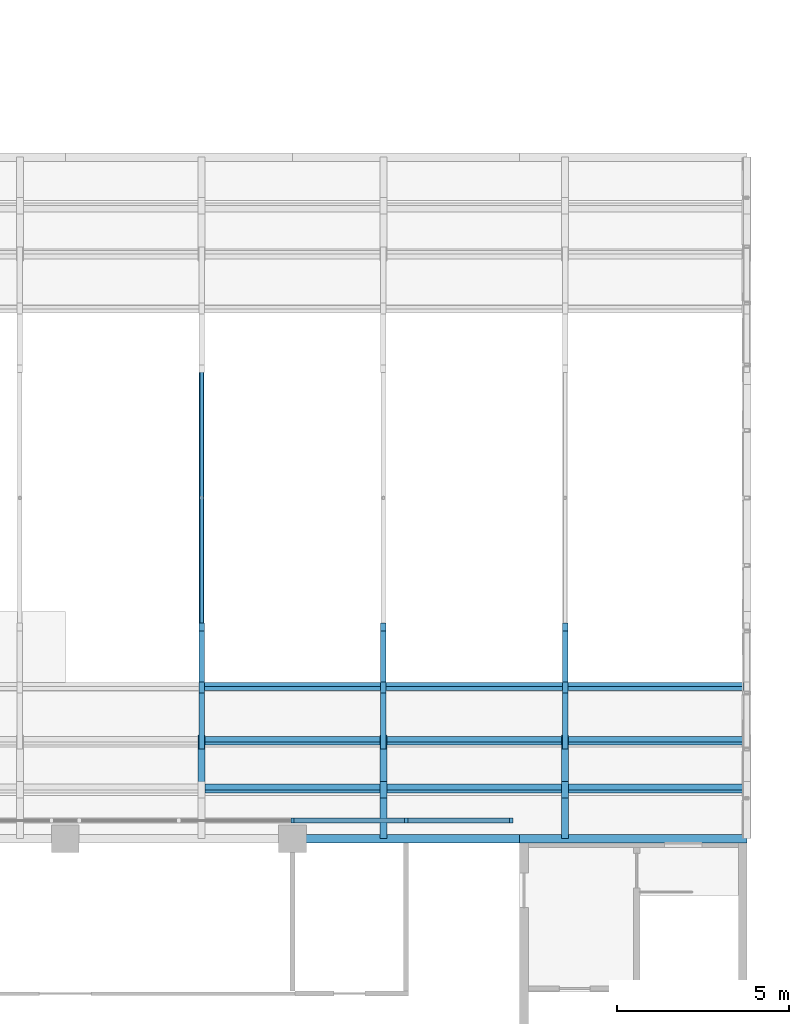
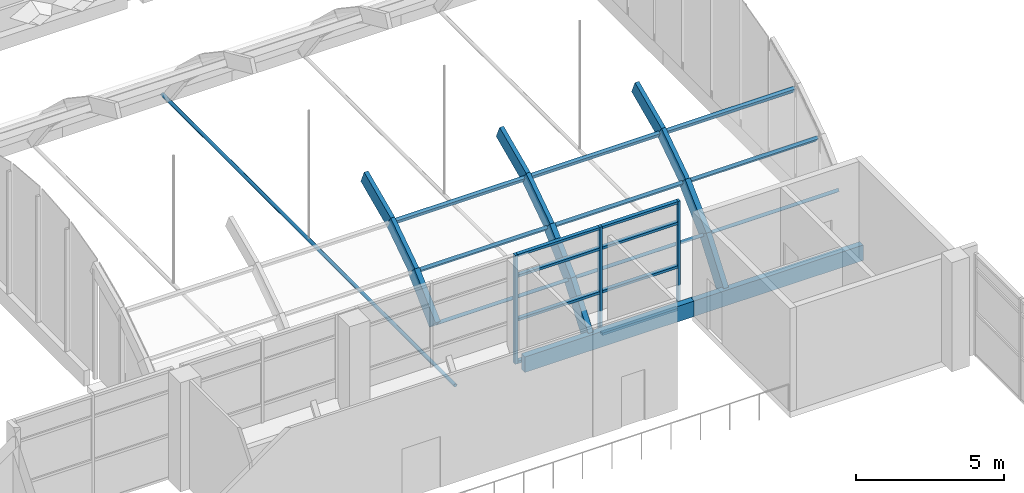
# One storey, part 23 of 102: 32 members, 2 beams, 1 element without a shape of its own.
"""IFC4 building model written with IfcOpenShell, lengths in metres."""

from ifc_helpers import new_model, si_unit, direction, frame, origin, origin_2d, place, context, subcontext, project, spatial, rectangle, hollow_circle, extrude, material, material_profile, profile_set, type_object, element, aggregate, save


model = new_model("IFC4")

# Units and contexts
model_context = context("Model", 3, precision=1e-05, world=origin(), true_north=direction((0.0, 1.0)))
body_context = subcontext(model_context, "Body", "Model", "MODEL_VIEW")
ifc_project = project(units=[si_unit("LENGTHUNIT", "METRE"), si_unit("AREAUNIT", "SQUARE_METRE"), si_unit("VOLUMEUNIT", "CUBIC_METRE"), si_unit("PLANEANGLEUNIT", "RADIAN"), si_unit("MASSUNIT", "GRAM", prefix="KILO")], contexts=[model_context])

# Site, building, storey
site_placement = place(None, origin())
site = spatial("IfcSite", under=ifc_project, at=site_placement, CompositionType="ELEMENT")
building_placement = place(site_placement, origin())
building = spatial("IfcBuilding", under=site, at=building_placement, Name="Lantern Court Research Institute", CompositionType="ELEMENT")
storey_placement = place(building_placement, frame((0.0, 0.0, 9.89990234375)))
storey = spatial("IfcBuildingStorey", under=building, at=storey_placement, Name="L02", CompositionType="ELEMENT", Elevation=9.89990234375)

# Members
ifc_material_1 = material(Name="Glued laminated timber GL28h", Category="wood")
ifc_material_profile_1 = material_profile(ifc_material_1, rectangle(XDim=0.159912109375, YDim=0.56005859375, at=origin_2d()), Name="Glulam haunch rib 160 x 560")
ifc_profile_set_1 = profile_set([ifc_material_profile_1], Name="Glued laminated timber GL28h")
member_type_1 = type_object("IfcMemberType", Name="Glulam haunch rib 160 x 560", PredefinedType="RAFTER", material=ifc_profile_set_1)
for number, where, z_axis, x_axis, name in (
    (1, (63.360107421875, 58.859619140625, 3.342529296875), (0.0, 0.830041526637, 0.557701590511), (-1.0, 0.0, 0.0), "Glulam rib"),
    (2, (63.360107421875, 60.4521484375, 4.41748046875), (0.0, 0.91202821745, 0.410127456501), (-1.0, 0.0, 0.0), "Glulam rib"),
    (3, (68.639892578125, 58.859619140625, 3.342529296875), (0.0, 0.830041526637, 0.557701590511), (-1.0, 0.0, 0.0), "Glulam rib"),
    (4, (68.639892578125, 60.4521484375, 4.41748046875), (0.0, 0.91202821745, 0.410127456501), (-1.0, 0.0, 0.0), "Glulam rib"),
    (5, (73.919921875, 58.859619140625, 3.342529296875), (0.0, 0.830041526637, 0.557701590511), (-1.0, 0.0, 0.0), "Glulam rib"),
    (6, (73.919921875, 60.4521484375, 4.41748046875), (0.0, 0.91202821745, 0.410127456501), (-1.0, 0.0, 0.0), "Glulam rib"),
):
    element("IfcMember", number, at=place(storey_placement, frame(where, z_axis=z_axis, x_axis=x_axis)), inside=storey, type_object=member_type_1, Name=name, PredefinedType="RAFTER", context=body_context, shape_type="SweptSolid", body=[
        extrude(rectangle(XDim=0.159912109375, YDim=0.56005859375, at=origin_2d()), origin(), (0.0, 0.0, 1.0), 1.968505859375),
    ])
ifc_material_2 = material(Name="Glued laminated timber GL28h", Category="wood")
ifc_material_profile_2 = material_profile(ifc_material_2, rectangle(XDim=0.1201171875, YDim=0.239990234375, at=origin_2d()), Name="Glulam purlin 120 x 240")
ifc_profile_set_2 = profile_set([ifc_material_profile_2], Name="Glued laminated timber GL28h")
member_type_2 = type_object("IfcMemberType", Name="Glulam purlin 120 x 240", PredefinedType="PURLIN", material=ifc_profile_set_2)
for number, where, z_axis, x_axis, name in (
    (7, (63.4599609375, 57.561767578125, 1.965576171875), (1.0, 0.0, 0.0), (0.0, 0.663608478299, 0.748080067593), "Glulam purlin"),
    (8, (68.739990234375, 57.561767578125, 1.965576171875), (1.0, 0.0, 0.0), (0.0, 0.663608478299, 0.748080067593), "Glulam purlin"),
    (9, (74.02001953125, 57.561767578125, 1.965576171875), (1.0, 0.0, 0.0), (0.0, 0.663608478299, 0.748080067593), "Glulam purlin"),
    (10, (63.4599609375, 58.941162109375, 3.278564453125), (1.0, 0.0, 0.0), (0.0, 0.779999482278, 0.625780159199), "Glulam purlin"),
    (11, (68.739990234375, 58.941162109375, 3.278564453125), (1.0, 0.0, 0.0), (0.0, 0.779999482278, 0.625780159199), "Glulam purlin"),
    (12, (74.02001953125, 58.941162109375, 3.278564453125), (1.0, 0.0, 0.0), (0.0, 0.779999482278, 0.625780159199), "Glulam purlin"),
):
    element("IfcMember", number, at=place(storey_placement, frame(where, z_axis=z_axis, x_axis=x_axis)), inside=storey, type_object=member_type_2, Name=name, PredefinedType="PURLIN", context=body_context, shape_type="SweptSolid", body=[
        extrude(rectangle(XDim=0.1201171875, YDim=0.239990234375, at=origin_2d()), origin(), (0.0, 0.0, 1.0), 5.080078125),
    ])
for number, where, z_axis, x_axis, name in (
    (13, (63.43994140625, 60.52197265625, 4.340576171875), (1.0, 0.0, 0.0), (0.0, 0.874157276961, 0.485642929667), "Glulam purlin"),
    (14, (68.719970703125, 60.52197265625, 4.340576171875), (1.0, 0.0, 0.0), (0.0, 0.874157276961, 0.485642929667), "Glulam purlin"),
    (15, (74.0, 60.52197265625, 4.340576171875), (1.0, 0.0, 0.0), (0.0, 0.874157276961, 0.485642929667), "Glulam purlin"),
):
    element("IfcMember", number, at=place(storey_placement, frame(where, z_axis=z_axis, x_axis=x_axis)), inside=storey, type_object=member_type_2, Name=name, PredefinedType="PURLIN", context=body_context, shape_type="SweptSolid", body=[
        extrude(rectangle(XDim=0.1201171875, YDim=0.239990234375, at=origin_2d()), origin(), (0.0, 0.0, 1.0), 5.1201171875),
    ])

# Beams
ifc_material_3 = material(Name="Glued laminated timber GL28h", Category="wood")
ifc_material_profile_3 = material_profile(ifc_material_3, rectangle(XDim=0.239990234375, YDim=0.639892578125, at=origin_2d()), Name="Glulam ring beam 240 x 640")
ifc_profile_set_3 = profile_set([ifc_material_profile_3], Name="Glued laminated timber GL28h")
beam_type = type_object("IfcBeamType", Name="Glulam ring beam 240 x 640", PredefinedType="BEAM", material=ifc_profile_set_3)
beam_1_placement = place(storey_placement, frame((66.0, 56.10009765625, 0.320068359375), z_axis=(1.0, 0.0, 0.0), x_axis=(0.0, 1.0, 0.0)))
element("IfcBeam", 16, at=beam_1_placement, inside=storey, type_object=beam_type, Name="Glulam ring beam S", PredefinedType="BEAM", context=body_context, shape_type="SweptSolid", body=[
    extrude(rectangle(XDim=0.239990234375, YDim=0.639892578125, at=origin_2d()), origin(), (0.0, 0.0, 1.0), 6.60009765625),
])
beam_2_placement = place(storey_placement, frame((72.60009765625, 56.10009765625, 0.320068359375), z_axis=(1.0, 0.0, 0.0), x_axis=(0.0, 1.0, 0.0)))
element("IfcBeam", 17, at=beam_2_placement, inside=storey, type_object=beam_type, Name="Glulam ring beam S", PredefinedType="BEAM", context=body_context, shape_type="SweptSolid", body=[
    extrude(rectangle(XDim=0.239990234375, YDim=0.639892578125, at=origin_2d()), origin(), (0.0, 0.0, 1.0), 6.599853515625),
])

# Members
ifc_material_4 = material(Name="Glued laminated timber GL28h", Category="wood")
ifc_material_profile_4 = material_profile(ifc_material_4, rectangle(XDim=0.199951171875, YDim=0.60009765625, at=origin_2d()), Name="Glulam springing rib 200 x 600")
ifc_profile_set_4 = profile_set([ifc_material_profile_4], Name="Glued laminated timber GL28h")
member_type_3 = type_object("IfcMemberType", Name="Glulam springing rib 200 x 600", PredefinedType="RAFTER", material=ifc_profile_set_4)
for number, where, z_axis, x_axis, name in (
    (18, (63.360107421875, 57.484130859375, 2.00048828125), (0.0, 0.72437677669, 0.689404297486), (-1.0, 0.0, 0.0), "Glulam rib"),
    (19, (68.639892578125, 56.34033203125, 0.460693359375), (0.0, 0.598133156131, 0.801396735417), (-1.0, 0.0, 0.0), "Glulam rib"),
    (20, (68.639892578125, 57.484130859375, 2.00048828125), (0.0, 0.72437677669, 0.689404297486), (-1.0, 0.0, 0.0), "Glulam rib"),
    (21, (73.919921875, 56.34033203125, 0.460693359375), (0.0, 0.598133156131, 0.801396735417), (-1.0, 0.0, 0.0), "Glulam rib"),
    (22, (73.919921875, 57.484130859375, 2.00048828125), (0.0, 0.72437677669, 0.689404297486), (-1.0, 0.0, 0.0), "Glulam rib"),
):
    element("IfcMember", number, at=place(storey_placement, frame(where, z_axis=z_axis, x_axis=x_axis)), inside=storey, type_object=member_type_3, Name=name, PredefinedType="RAFTER", context=body_context, shape_type="SweptSolid", body=[
        extrude(rectangle(XDim=0.199951171875, YDim=0.60009765625, at=origin_2d()), origin(), (0.0, 0.0, 1.0), 1.968505859375),
    ])
ifc_material_5 = material(Name="Structural steel S355", Category="steel")
ifc_material_profile_5 = material_profile(ifc_material_5, hollow_circle(Radius=0.06982421875, WallThickness=0.008056640625, at=origin_2d()), Name="Gridshell tie CHS 139.7 x 8")
ifc_profile_set_5 = profile_set([ifc_material_profile_5], Name="Structural steel S355")
member_type_4 = type_object("IfcMemberType", Name="Gridshell tie CHS 139.7 x 8", PredefinedType="MEMBER", material=ifc_profile_set_5)
member_1_placement = place(storey_placement, frame((63.360107421875, 56.10009765625, 0.320068359375), z_axis=(0.0, 1.0, 0.0), x_axis=(-1.0, 0.0, 0.0)))
element("IfcMember", 23, at=member_1_placement, inside=storey, type_object=member_type_4, Name="Theatre tie", PredefinedType="MEMBER", context=body_context, shape_type="SweptSolid", body=[
    extrude(hollow_circle(Radius=0.06982421875, WallThickness=0.008056640625, at=origin_2d()), origin(), (0.0, 0.0, 1.0), 19.7998046875),
])

# Curtain wall, members
ifc_material_6 = material(Name="Aluminium alloy 6063-T6", Category="aluminium")
curtain_wall_type = type_object("IfcCurtainWallType", Name="Curtain wall 19450 x 4500 x 150 aluminium frame", PredefinedType="NOTDEFINED", material=ifc_material_6)
curtain_wall_placement = place(storey_placement, origin())
curtain_wall = element("IfcCurtainWall", 24, at=curtain_wall_placement, inside=storey, type_object=curtain_wall_type, Name="Curtain wall CW036", PredefinedType="NOTDEFINED")
ifc_material_7 = material(Name="Aluminium alloy 6063-T6", Category="aluminium")
ifc_material_profile_6 = material_profile(ifc_material_7, rectangle(XDim=0.14990234375, YDim=0.10009765625, at=origin_2d()), Name="Mullion 150 x 100")
ifc_profile_set_6 = profile_set([ifc_material_profile_6], Name="Aluminium alloy 6063-T6")
member_type_5 = type_object("IfcMemberType", Name="Mullion 150 x 100 aluminium", PredefinedType="MULLION", material=ifc_profile_set_6)
member_2_placement = place(storey_placement, frame((66.0, 56.625, 0.0), z_axis=(0.0, 0.0, 1.0), x_axis=(0.0, 1.0, 0.0)))
member_2 = element("IfcMember", 25, at=member_2_placement, type_object=member_type_5, Name="CW036 mullion 6", PredefinedType="MULLION", context=body_context, shape_type="SweptSolid", body=[
    extrude(rectangle(XDim=0.14990234375, YDim=0.10009765625, at=origin_2d()), origin(), (0.0, 0.0, 1.0), 4.5),
])
member_3_placement = place(storey_placement, frame((69.300048828125, 56.625, 0.0), z_axis=(0.0, 0.0, 1.0), x_axis=(0.0, 1.0, 0.0)))
member_3 = element("IfcMember", 26, at=member_3_placement, type_object=member_type_5, Name="CW036 mullion 7", PredefinedType="MULLION", context=body_context, shape_type="SweptSolid", body=[
    extrude(rectangle(XDim=0.14990234375, YDim=0.10009765625, at=origin_2d()), origin(), (0.0, 0.0, 1.0), 4.5),
])
member_4_placement = place(storey_placement, frame((72.35009765625, 56.625, 0.0), z_axis=(0.0, 0.0, 1.0), x_axis=(0.0, 1.0, 0.0)))
member_4 = element("IfcMember", 27, at=member_4_placement, type_object=member_type_5, Name="CW036 mullion 8", PredefinedType="MULLION", context=body_context, shape_type="SweptSolid", body=[
    extrude(rectangle(XDim=0.14990234375, YDim=0.10009765625, at=origin_2d()), origin(), (0.0, 0.0, 1.0), 4.5),
])
ifc_material_8 = material(Name="Aluminium alloy 6063-T6", Category="aluminium")
ifc_material_profile_7 = material_profile(ifc_material_8, rectangle(XDim=0.14990234375, YDim=0.10009765625, at=origin_2d()), Name="Transom 150 x 100")
ifc_profile_set_7 = profile_set([ifc_material_profile_7], Name="Aluminium alloy 6063-T6")
member_type_6 = type_object("IfcMemberType", Name="Transom 150 x 100 aluminium", PredefinedType="USERDEFINED", material=ifc_profile_set_7)
member_5_placement = place(storey_placement, frame((66.050048828125, 56.625, 0.050048828125), z_axis=(1.0, 0.0, 0.0), x_axis=(0.0, 1.0, 0.0)))
member_5 = element("IfcMember", 28, at=member_5_placement, type_object=member_type_6, Name="CW036 transom 6.1", ObjectType="TRANSOM", PredefinedType="USERDEFINED", context=body_context, shape_type="SweptSolid", body=[
    extrude(rectangle(XDim=0.14990234375, YDim=0.10009765625, at=origin_2d()), origin(), (0.0, 0.0, 1.0), 3.199951171875),
])
member_6_placement = place(storey_placement, frame((66.050048828125, 56.625, 1.800048828125), z_axis=(1.0, 0.0, 0.0), x_axis=(0.0, 1.0, 0.0)))
member_6 = element("IfcMember", 29, at=member_6_placement, type_object=member_type_6, Name="CW036 transom 6.2", ObjectType="TRANSOM", PredefinedType="USERDEFINED", context=body_context, shape_type="SweptSolid", body=[
    extrude(rectangle(XDim=0.14990234375, YDim=0.10009765625, at=origin_2d()), origin(), (0.0, 0.0, 1.0), 3.199951171875),
])
member_7_placement = place(storey_placement, frame((66.050048828125, 56.625, 3.60009765625), z_axis=(1.0, 0.0, 0.0), x_axis=(0.0, 1.0, 0.0)))
member_7 = element("IfcMember", 30, at=member_7_placement, type_object=member_type_6, Name="CW036 transom 6.3", ObjectType="TRANSOM", PredefinedType="USERDEFINED", context=body_context, shape_type="SweptSolid", body=[
    extrude(rectangle(XDim=0.14990234375, YDim=0.10009765625, at=origin_2d()), origin(), (0.0, 0.0, 1.0), 3.199951171875),
])
member_8_placement = place(storey_placement, frame((66.050048828125, 56.625, 4.4501953125), z_axis=(1.0, 0.0, 0.0), x_axis=(0.0, 1.0, 0.0)))
member_8 = element("IfcMember", 31, at=member_8_placement, type_object=member_type_6, Name="CW036 transom 6.4", ObjectType="TRANSOM", PredefinedType="USERDEFINED", context=body_context, shape_type="SweptSolid", body=[
    extrude(rectangle(XDim=0.14990234375, YDim=0.10009765625, at=origin_2d()), origin(), (0.0, 0.0, 1.0), 3.199951171875),
])
member_9_placement = place(storey_placement, frame((69.35009765625, 56.625, 0.050048828125), z_axis=(1.0, 0.0, 0.0), x_axis=(0.0, 1.0, 0.0)))
member_9 = element("IfcMember", 32, at=member_9_placement, type_object=member_type_6, Name="CW036 transom 7.1", ObjectType="TRANSOM", PredefinedType="USERDEFINED", context=body_context, shape_type="SweptSolid", body=[
    extrude(rectangle(XDim=0.14990234375, YDim=0.10009765625, at=origin_2d()), origin(), (0.0, 0.0, 1.0), 2.949951171875),
])
member_10_placement = place(storey_placement, frame((69.35009765625, 56.625, 1.800048828125), z_axis=(1.0, 0.0, 0.0), x_axis=(0.0, 1.0, 0.0)))
member_10 = element("IfcMember", 33, at=member_10_placement, type_object=member_type_6, Name="CW036 transom 7.2", ObjectType="TRANSOM", PredefinedType="USERDEFINED", context=body_context, shape_type="SweptSolid", body=[
    extrude(rectangle(XDim=0.14990234375, YDim=0.10009765625, at=origin_2d()), origin(), (0.0, 0.0, 1.0), 2.949951171875),
])
member_11_placement = place(storey_placement, frame((69.35009765625, 56.625, 3.60009765625), z_axis=(1.0, 0.0, 0.0), x_axis=(0.0, 1.0, 0.0)))
member_11 = element("IfcMember", 34, at=member_11_placement, type_object=member_type_6, Name="CW036 transom 7.3", ObjectType="TRANSOM", PredefinedType="USERDEFINED", context=body_context, shape_type="SweptSolid", body=[
    extrude(rectangle(XDim=0.14990234375, YDim=0.10009765625, at=origin_2d()), origin(), (0.0, 0.0, 1.0), 2.949951171875),
])
member_12_placement = place(storey_placement, frame((69.35009765625, 56.625, 4.4501953125), z_axis=(1.0, 0.0, 0.0), x_axis=(0.0, 1.0, 0.0)))
member_12 = element("IfcMember", 35, at=member_12_placement, type_object=member_type_6, Name="CW036 transom 7.4", ObjectType="TRANSOM", PredefinedType="USERDEFINED", context=body_context, shape_type="SweptSolid", body=[
    extrude(rectangle(XDim=0.14990234375, YDim=0.10009765625, at=origin_2d()), origin(), (0.0, 0.0, 1.0), 2.949951171875),
])
aggregate(curtain_wall, [member_2, member_3, member_4, member_5, member_6, member_7, member_8, member_9, member_10, member_11, member_12])

save(model, "model.ifc")
